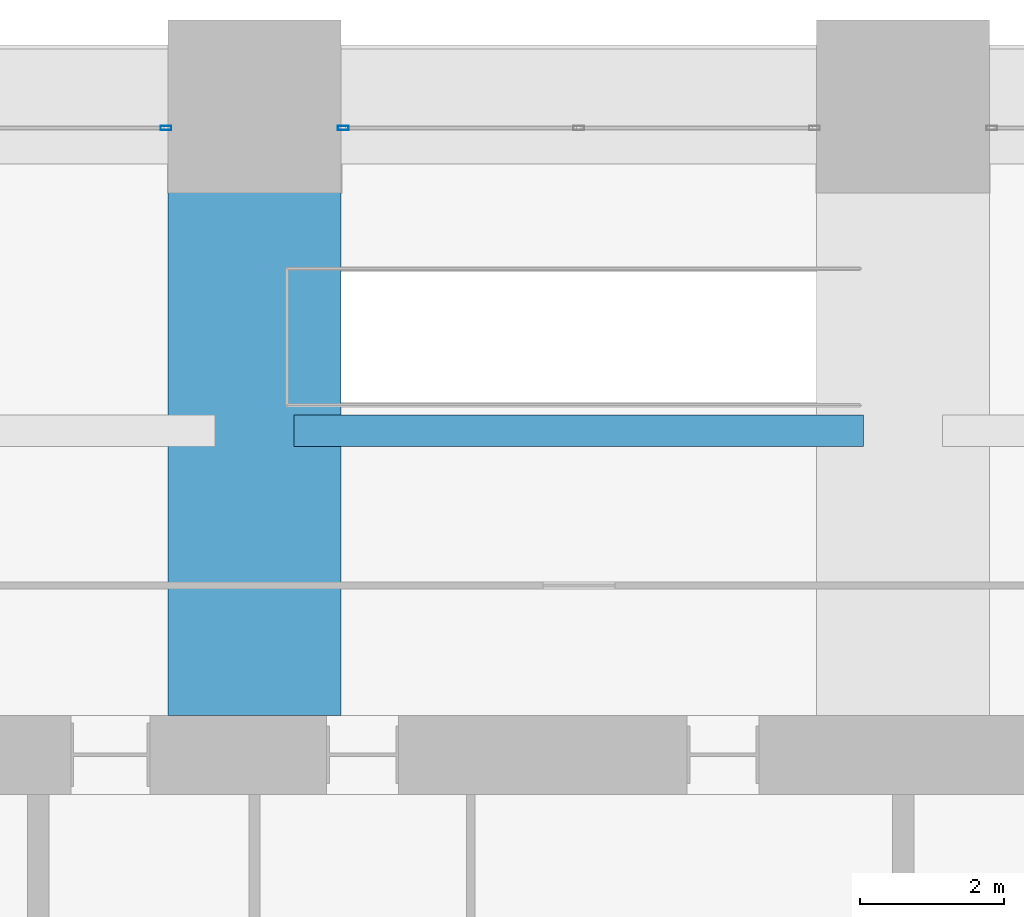
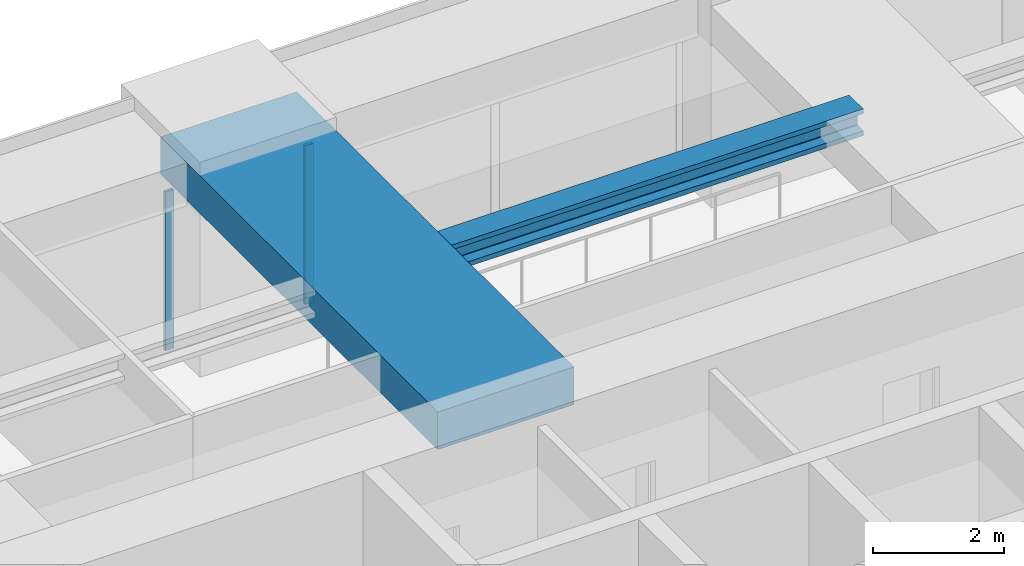
# One storey, part 24 of 35: 2 beams, 2 members, 2 elements without a shape of their own.
"""IFC4 building model written with IfcOpenShell, lengths in metres."""

import ifcopenshell
import ifcopenshell.guid

model = None  # the IFC model being written
_history = None  # IfcOwnerHistory: only IFC2X3 demands one
_inside = {}  # id of a spatial element -> (the spatial element, [elements in it])
_under = {}  # id of a project, library or spatial element -> (it, [spatial elements below it])
_declared = {}  # id of a project -> (the project, [libraries it declares])
_typed = {}  # id of a type object -> (the type object, [elements of that type])
_made_of = {}  # id of a material, layer set ... -> (it, [elements and type objects made of it])


def new_model(schema):
    """Start an empty IFC model of exactly this schema.

    Asked for "IFC4X3", IfcOpenShell would pick the latest addendum, in which some entities
    have other attributes; the version numbers below select the first issue.
    IFC2X3 requires an IfcOwnerHistory on every rooted entity: one is made here for all.
    """
    global model, _history
    if schema == "IFC4X3":
        model = ifcopenshell.file(schema_version=(4, 3, 0, 0))
    else:
        model = ifcopenshell.file(schema=schema)
    _inside.clear()
    _under.clear()
    _declared.clear()
    _typed.clear()
    _made_of.clear()
    _history = None
    if model.schema == "IFC2X3":
        org = make("IfcOrganization", Name="unknown")
        user = make(
            "IfcPersonAndOrganization",
            ThePerson=make("IfcPerson", FamilyName="unknown"),
            TheOrganization=org,
        )
        app = make(
            "IfcApplication",
            ApplicationDeveloper=org,
            Version="unknown",
            ApplicationFullName="unknown",
            ApplicationIdentifier="unknown",
        )
        _history = make(
            "IfcOwnerHistory",
            OwningUser=user,
            OwningApplication=app,
            ChangeAction="ADDED",
            CreationDate=0,
        )
    return model


def make(cls, **values):
    """One entity of the class cls with the attributes given. An attribute that is None is left unset."""
    return model.create_entity(
        cls, **{name: value for name, value in values.items() if value is not None}
    )


def rooted(cls, **values):
    """An entity with a GlobalId (a new one), such as an element, a storey or a relation."""
    return make(cls, GlobalId=ifcopenshell.guid.new(), OwnerHistory=_history, **values)


def si_unit(unit_type, name, prefix=None):
    """IfcSIUnit, for example si_unit("LENGTHUNIT", "METRE", prefix="MILLI")."""
    return make("IfcSIUnit", UnitType=unit_type, Prefix=prefix, Name=name)


def assignment(units):
    """IfcUnitAssignment: the units of a project."""
    return None if units is None else make("IfcUnitAssignment", Units=units)


def point(xyz):
    """IfcCartesianPoint."""
    return None if xyz is None else make("IfcCartesianPoint", Coordinates=xyz)


def direction(xyz):
    """IfcDirection."""
    return None if xyz is None else make("IfcDirection", DirectionRatios=xyz)


def frame(location, z_axis=None, x_axis=None):
    """IfcAxis2Placement3D, a coordinate frame: its origin and axes. An axis left out is left unset."""
    return make(
        "IfcAxis2Placement3D",
        Location=point(location),
        Axis=direction(z_axis),
        RefDirection=direction(x_axis),
    )


def frame_2d(location, x_axis=None):
    """IfcAxis2Placement2D, a coordinate frame in the plane: its origin and x axis."""
    return make(
        "IfcAxis2Placement2D", Location=point(location), RefDirection=direction(x_axis)
    )


def origin():
    """The frame at (0, 0, 0) with its axes left unset."""
    return frame((0.0, 0.0, 0.0))


def origin_2d():
    """The frame at (0, 0) in the plane with its x axis left unset."""
    return frame_2d((0.0, 0.0))


def place(relative_to, where):
    """IfcLocalPlacement: puts the frame where relative to a parent placement (None: the world)."""
    return make(
        "IfcLocalPlacement", PlacementRelTo=relative_to, RelativePlacement=where
    )


def context(
    kind, dimensions, precision=None, world=None, true_north=None, identifier=None
):
    """IfcGeometricRepresentationContext, for example the 3D "Model" context."""
    return make(
        "IfcGeometricRepresentationContext",
        ContextIdentifier=identifier,
        ContextType=kind,
        CoordinateSpaceDimension=dimensions,
        Precision=precision,
        WorldCoordinateSystem=world,
        TrueNorth=true_north,
    )


def subcontext(parent, identifier, kind, view, scale=None):
    """IfcGeometricRepresentationSubContext, for example "Body" below "Model"."""
    return make(
        "IfcGeometricRepresentationSubContext",
        ContextIdentifier=identifier,
        ContextType=kind,
        ParentContext=parent,
        TargetScale=scale,
        TargetView=view,
    )


def project(units=None, contexts=None):
    """IfcProject with its units and contexts."""
    return rooted(
        "IfcProject",
        Name="project",
        RepresentationContexts=contexts,
        UnitsInContext=assignment(units),
    )


def spatial(cls, under=None, at=None, **own):
    """A site, building, storey or space (cls), placed at a placement, below another one or the project."""
    s = rooted(cls, ObjectPlacement=at, **own)
    if under is not None:
        _under.setdefault(under.id(), (under, []))[1].append(s)
    return s


def profile(cls, at=None, kind="AREA", **sizes):
    """A parametric profile (cls). Its sizes go by their IFC names, for example OverallWidth=200.0."""
    return make(cls, ProfileType=kind, Position=at, **sizes)


def rectangle(**sizes):
    """IfcRectangleProfileDef."""
    return profile("IfcRectangleProfileDef", **sizes)


def hollow_rectangle(**sizes):
    """IfcRectangleHollowProfileDef."""
    return profile("IfcRectangleHollowProfileDef", **sizes)


def i_section(**sizes):
    """IfcIShapeProfileDef."""
    return profile("IfcIShapeProfileDef", **sizes)


def extrude(swept, where, along, depth):
    """IfcExtrudedAreaSolid: the profile swept, set in the frame where, extruded along a direction by depth."""
    return make(
        "IfcExtrudedAreaSolid",
        SweptArea=swept,
        Position=where,
        ExtrudedDirection=direction(along),
        Depth=depth,
    )


def shape(context_of_items, identifier, shape_type, items):
    """IfcShapeRepresentation: the items that make up one representation, for example the "Body"."""
    return make(
        "IfcShapeRepresentation",
        ContextOfItems=context_of_items,
        RepresentationIdentifier=identifier,
        RepresentationType=shape_type,
        Items=items,
    )


def material(Name=None, Category=None):
    """IfcMaterial."""
    return make("IfcMaterial", Name=Name, Category=Category)


def material_profile(
    of_material, cross_section, Name=None, Category=None, Priority=None
):
    """IfcMaterialProfile: a cross section and its material."""
    return make(
        "IfcMaterialProfile",
        Name=Name,
        Material=of_material,
        Profile=cross_section,
        Priority=Priority,
        Category=Category,
    )


def profile_set(profiles, Name=None, composite=None):
    """IfcMaterialProfileSet."""
    return make(
        "IfcMaterialProfileSet",
        Name=Name,
        MaterialProfiles=profiles,
        CompositeProfile=composite,
    )


def made_of(thing, what):
    """Note that an element or type object is made of a material, layer set ...; save() writes the relation."""
    if what is not None:
        _made_of.setdefault(what.id(), (what, []))[1].append(thing)
    return thing


def type_object(cls, material=None, **own):
    """A type object (cls), such as IfcWallType, which elements share."""
    return made_of(rooted(cls, **own), material)


def element(
    cls,
    number,
    at=None,
    inside=None,
    cuts=None,
    type_object=None,
    material=None,
    context=None,
    identifier="Body",
    shape_type=None,
    held_by="IfcProductDefinitionShape",
    body=None,
    shapes=None,
    **own,
):
    """One element of the class cls, such as IfcWall. Its Tag is "e" and its number.

    at: its placement. inside: the storey or other place that contains it. cuts: it is an
    opening in that element (IfcRelVoidsElement). A single representation is given by context,
    identifier, shape_type and body (its items); several are given by shapes. held_by: the class
    of the entity that holds the representations. save() writes the other relations.
    """
    e = rooted(cls, Tag="e%d" % number, ObjectPlacement=at, **own)
    if body is not None:
        shapes = [shape(context, identifier, shape_type, body)]
    if shapes is not None:
        e.Representation = make(held_by, Representations=shapes)
    if inside is not None:
        _inside.setdefault(inside.id(), (inside, []))[1].append(e)
    if cuts is not None:
        rooted(
            "IfcRelVoidsElement", RelatingBuildingElement=cuts, RelatedOpeningElement=e
        )
    if type_object is not None:
        _typed.setdefault(type_object.id(), (type_object, []))[1].append(e)
    return made_of(e, material)


def aggregate(whole, parts):
    """IfcRelAggregates: a whole, such as a stair, and the parts it consists of."""
    return rooted("IfcRelAggregates", RelatingObject=whole, RelatedObjects=parts)


def save(model, path):
    """Write the relations noted so far, then the file.

    IfcRelAggregates (storeys below a building ...), IfcRelContainedInSpatialStructure (elements
    in a storey), IfcRelDefinesByType, IfcRelAssociatesMaterial and IfcRelDeclares: one each for
    every whole, place, type object, material and project.
    """
    for whole, parts in _under.values():
        aggregate(whole, parts)
    for where, things in _inside.values():
        rooted(
            "IfcRelContainedInSpatialStructure",
            RelatedElements=things,
            RelatingStructure=where,
        )
    for kind, things in _typed.values():
        rooted("IfcRelDefinesByType", RelatedObjects=things, RelatingType=kind)
    for what, things in _made_of.values():
        rooted("IfcRelAssociatesMaterial", RelatedObjects=things, RelatingMaterial=what)
    for by, libraries in _declared.values():
        rooted("IfcRelDeclares", RelatingContext=by, RelatedDefinitions=libraries)
    model.write(path)


model = new_model("IFC4")

# Units and contexts
model_context = context("Model", 3, precision=1e-05, world=origin(), true_north=direction((0.0, 1.0)))
body_context = subcontext(model_context, "Body", "Model", "MODEL_VIEW")
ifc_project = project(units=[si_unit("LENGTHUNIT", "METRE"), si_unit("AREAUNIT", "SQUARE_METRE"), si_unit("VOLUMEUNIT", "CUBIC_METRE"), si_unit("PLANEANGLEUNIT", "RADIAN"), si_unit("MASSUNIT", "GRAM", prefix="KILO")], contexts=[model_context])

# Site, building, storey
site_placement = place(None, origin())
site = spatial("IfcSite", under=ifc_project, at=site_placement, CompositionType="ELEMENT")
building_placement = place(site_placement, origin())
building = spatial("IfcBuilding", under=site, at=building_placement, Name="Zorevar Civic Tower", CompositionType="ELEMENT")
storey_placement = place(building_placement, frame((0.0, 0.0, 218.199951171875)))
storey = spatial("IfcBuildingStorey", under=building, at=storey_placement, Name="L53", CompositionType="ELEMENT", Elevation=218.199951171875)

# Beam
ifc_material_1 = material(Name="Concrete C50/60", Category="concrete")
ifc_material_profile_1 = material_profile(ifc_material_1, rectangle(XDim=2.39990234375, YDim=0.699951171875, at=origin_2d()), Name="RC 2400x700")
ifc_profile_set_1 = profile_set([ifc_material_profile_1], Name="Concrete C50/60")
beam_type_1 = type_object("IfcBeamType", Name="Beam RC 2400x700", PredefinedType="BEAM", material=ifc_profile_set_1)
beam_1_placement = place(storey_placement, frame((27.0, 36.550048828125, 3.400146484375), z_axis=(0.0, 1.0, 0.0), x_axis=(-1.0, 0.0, 0.0)))
element("IfcBeam", 1, at=beam_1_placement, inside=storey, type_object=beam_type_1, Name="Girder L54", PredefinedType="BEAM", context=body_context, shape_type="SweptSolid", body=[
    extrude(rectangle(XDim=2.39990234375, YDim=0.699951171875, at=origin_2d()), origin(), (0.0, 0.0, 1.0), 8.449951171875),
])

# Curtain wall, member
ifc_material_2 = material(Name="Dark grey solar-control glass in black aluminium frame", Category="aluminium")
curtain_wall_type = type_object("IfcCurtainWallType", Name="Curtain wall CW4 high zone", PredefinedType="NOTDEFINED", material=ifc_material_2)
curtain_wall_1_placement = place(storey_placement, origin())
curtain_wall_1 = element("IfcCurtainWall", 2, at=curtain_wall_1_placement, inside=storey, type_object=curtain_wall_type, Name="CW4 L53", PredefinedType="NOTDEFINED")
ifc_material_3 = material(Name="Aluminium, black anodised", Category="aluminium")
ifc_material_profile_2 = material_profile(ifc_material_3, hollow_rectangle(XDim=0.06005859375, YDim=0.14990234375, WallThickness=0.00390625, at=origin_2d()), Name="AL 150x60x4")
ifc_profile_set_2 = profile_set([ifc_material_profile_2], Name="Aluminium, black anodised")
member_type = type_object("IfcMemberType", Name="CW4 mullion AL 150x60x4", PredefinedType="MULLION", material=ifc_profile_set_2)
member_1_placement = place(storey_placement, frame((25.77001953125, 44.699951171875, 0.0), z_axis=(0.0, 0.0, 1.0), x_axis=(0.0, 1.0, 0.0)))
member_1 = element("IfcMember", 3, at=member_1_placement, type_object=member_type, Name="CW4 mullion 3", PredefinedType="MULLION", context=body_context, shape_type="SweptSolid", body=[
    extrude(hollow_rectangle(XDim=0.06005859375, YDim=0.14990234375, WallThickness=0.00390625, at=origin_2d()), origin(), (0.0, 0.0, 1.0), 2.949951171875),
])
aggregate(curtain_wall_1, [member_1])

curtain_wall_2_placement = place(storey_placement, origin())
curtain_wall_2 = element("IfcCurtainWall", 4, at=curtain_wall_2_placement, inside=storey, type_object=curtain_wall_type, Name="CW4 L53", PredefinedType="NOTDEFINED")
member_2_placement = place(storey_placement, frame((28.22998046875, 44.699951171875, 0.0), z_axis=(0.0, 0.0, 1.0), x_axis=(0.0, 1.0, 0.0)))
member_2 = element("IfcMember", 5, at=member_2_placement, type_object=member_type, Name="CW4 mullion 1", PredefinedType="MULLION", context=body_context, shape_type="SweptSolid", body=[
    extrude(hollow_rectangle(XDim=0.06005859375, YDim=0.14990234375, WallThickness=0.00390625, at=origin_2d()), origin(), (0.0, 0.0, 1.0), 2.949951171875),
])
aggregate(curtain_wall_2, [member_2])

# Beam
ifc_material_4 = material(Name="Steel S460M (HISTAR 460)", Category="steel")
ifc_material_profile_3 = material_profile(ifc_material_4, i_section(OverallWidth=0.431884765625, OverallDepth=0.498046875, WebThickness=0.0556640625, FlangeThickness=0.0888671875, FilletRadius=0.014892578125, at=origin_2d()), Name="HD 400x744")
ifc_profile_set_3 = profile_set([ifc_material_profile_3], Name="Steel S460M (HISTAR 460)")
beam_type_2 = type_object("IfcBeamType", Name="Core bay beam HD 400x744", PredefinedType="BEAM", material=ifc_profile_set_3)
beam_2_placement = place(storey_placement, frame((27.550048828125, 40.5, 3.5009765625), z_axis=(1.0, 0.0, 0.0), x_axis=(0.0, 1.0, 0.0)))
element("IfcBeam", 6, at=beam_2_placement, inside=storey, type_object=beam_type_2, Name="Secondary beam L54", PredefinedType="BEAM", context=body_context, shape_type="SweptSolid", body=[
    extrude(i_section(OverallWidth=0.431884765625, OverallDepth=0.498046875, WebThickness=0.0556640625, FlangeThickness=0.0888671875, FilletRadius=0.014892578125, at=origin_2d()), origin(), (0.0, 0.0, 1.0), 7.89990234375),
])

save(model, "model.ifc")
